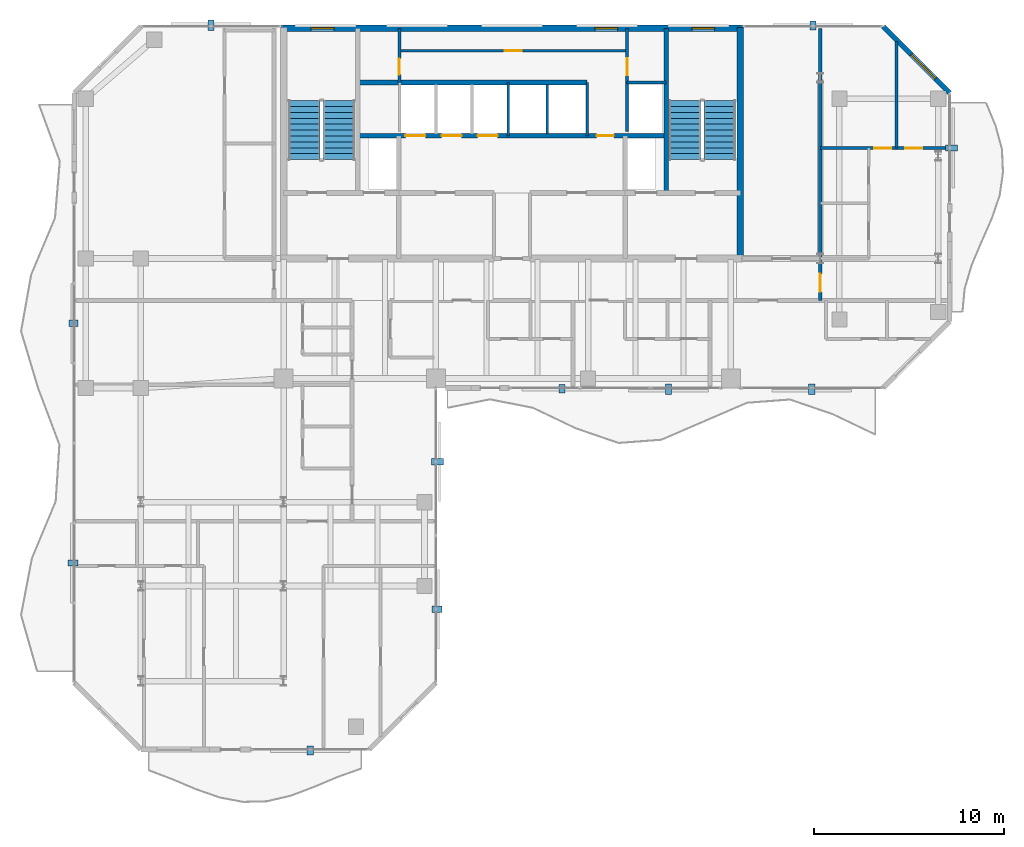
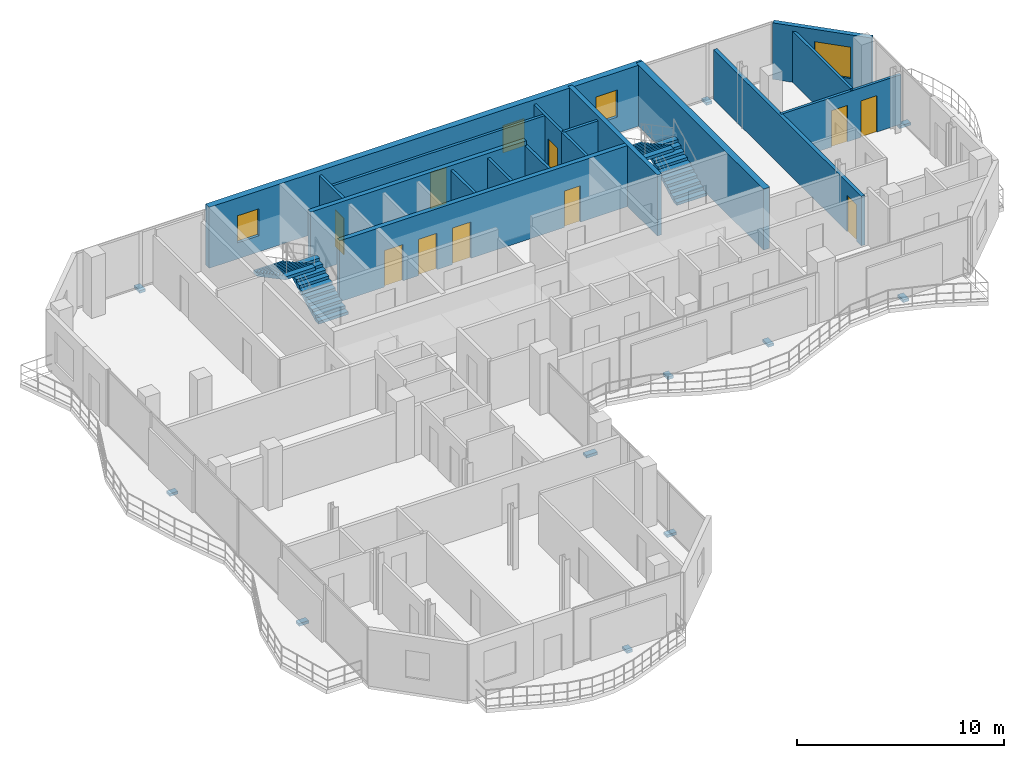
# One storey, part 20 of 23: 17 walls, 11 discrete accessories, 10 doors, 4 stair flights, 4 windows, 14 openings, 2 elements without a shape of their own.
"""IFC4 building model written with IfcOpenShell, lengths in metres."""

from ifc_helpers import new_model, si_unit, direction, frame, frame_2d, origin, origin_2d, place, context, subcontext, project, spatial, polyline, rectangle, outline, extrude, material, layer, layer_set, type_object, element, fill, aggregate, save


model = new_model("IFC4")

# Units and contexts
model_context = context("Model", 3, precision=1e-05, world=origin(), true_north=direction((0.0, 1.0)))
body_context = subcontext(model_context, "Body", "Model", "MODEL_VIEW")
ifc_project = project(units=[si_unit("LENGTHUNIT", "METRE"), si_unit("AREAUNIT", "SQUARE_METRE"), si_unit("VOLUMEUNIT", "CUBIC_METRE"), si_unit("PLANEANGLEUNIT", "RADIAN"), si_unit("MASSUNIT", "GRAM", prefix="KILO")], contexts=[model_context])

# Site, building, storey
site_placement = place(None, origin())
site = spatial("IfcSite", under=ifc_project, at=site_placement, CompositionType="ELEMENT")
building_placement = place(site_placement, origin())
building = spatial("IfcBuilding", under=site, at=building_placement, Name="Catumbela Crestline Tower", CompositionType="ELEMENT")
storey_placement = place(building_placement, frame((0.0, 0.0, 175.8)))
storey = spatial("IfcBuildingStorey", under=building, at=storey_placement, Name="L45", CompositionType="ELEMENT", Elevation=175.8)

# Wall
ifc_material_1 = material(Name="Concrete C50/60", Category="concrete")
ifc_layer_1 = layer(ifc_material_1, 0.25, Name="Concrete C50/60")
ifc_layer_set_1 = layer_set([ifc_layer_1], Name="Concrete C50/60")
wall_type_1 = type_object("IfcWallType", Name="CW-250D", PredefinedType="SHEAR", material=ifc_layer_set_1)
wall_1_placement = place(storey_placement, frame((36.1, 34.25, 0.0), z_axis=(0.0, 0.0, 1.0), x_axis=(0.0, 1.0, 0.0)))
element("IfcWall", 1, at=wall_1_placement, inside=storey, type_object=wall_type_1, Name="L45 Structural Core Shear Wall EWEB", PredefinedType="SHEAR", context=body_context, shape_type="SweptSolid", body=[
    extrude(rectangle(XDim=8.65, YDim=0.25, at=frame_2d((4.325, 0.0))), origin(), (0.0, 0.0, 1.0), 3.6),
])

# Wall, openings, doors
wall_2_placement = place(storey_placement, frame((19.9, 37.25, 0.0), z_axis=(0.0, 0.0, 1.0), x_axis=(1.0, 0.0, 0.0)))
wall_2 = element("IfcWall", 2, at=wall_2_placement, inside=storey, type_object=wall_type_1, Name="L45 Structural Core Shear Wall LIFTN", PredefinedType="SHEAR", context=body_context, shape_type="SweptSolid", body=[
    extrude(rectangle(XDim=16.2, YDim=0.25, at=frame_2d((8.1, 0.0))), origin(), (0.0, 0.0, 1.0), 3.6),
])
opening_1_placement = place(wall_2_placement, frame((12.55, 0.0, 0.0)))
opening_1 = element("IfcOpeningElement", 3, at=opening_1_placement, cuts=wall_2, Name="Opening DF9-090", PredefinedType="OPENING", context=body_context, shape_type="SweptSolid", body=[
    extrude(rectangle(XDim=0.9, YDim=2.15, at=frame_2d((0.45, 1.075))), frame((0.0, 0.135, 0.0), z_axis=(0.0, -1.0, 0.0), x_axis=(1.0, 0.0, 0.0)), (0.0, 0.0, 1.0), 0.27),
])
opening_2_placement = place(wall_2_placement, frame((2.5, 0.0, 0.0)))
opening_2 = element("IfcOpeningElement", 4, at=opening_2_placement, cuts=wall_2, Name="Opening LD-105", PredefinedType="OPENING", context=body_context, shape_type="SweptSolid", body=[
    extrude(rectangle(XDim=1.05, YDim=2.15, at=frame_2d((0.525, 1.075))), frame((0.0, 0.135, 0.0), z_axis=(0.0, -1.0, 0.0), x_axis=(1.0, 0.0, 0.0)), (0.0, 0.0, 1.0), 0.27),
])
opening_3_placement = place(wall_2_placement, frame((4.4, 0.0, 0.0)))
opening_3 = element("IfcOpeningElement", 5, at=opening_3_placement, cuts=wall_2, Name="Opening LD-105", PredefinedType="OPENING", context=body_context, shape_type="SweptSolid", body=[
    extrude(rectangle(XDim=1.05, YDim=2.15, at=frame_2d((0.525, 1.075))), frame((0.0, 0.135, 0.0), z_axis=(0.0, -1.0, 0.0), x_axis=(1.0, 0.0, 0.0)), (0.0, 0.0, 1.0), 0.27),
])
opening_4_placement = place(wall_2_placement, frame((6.3, 0.0, 0.0)))
opening_4 = element("IfcOpeningElement", 6, at=opening_4_placement, cuts=wall_2, Name="Opening LD-105", PredefinedType="OPENING", context=body_context, shape_type="SweptSolid", body=[
    extrude(rectangle(XDim=1.05, YDim=2.15, at=frame_2d((0.525, 1.075))), frame((0.0, 0.135, 0.0), z_axis=(0.0, -1.0, 0.0), x_axis=(1.0, 0.0, 0.0)), (0.0, 0.0, 1.0), 0.27),
])
ifc_material_2 = material(Name="Stainless steel EN 1.4401", Category="steel")
door_type_1 = type_object("IfcDoorType", Name="DF9-090", OperationType="NOTDEFINED", PredefinedType="DOOR", material=ifc_material_2)
door_1_placement = place(opening_1_placement, origin())
door_1 = element("IfcDoor", 7, at=door_1_placement, inside=storey, type_object=door_type_1, Name="L45 Interior Door DR-L45-CPAS1", OperationType="SINGLE_SWING_LEFT", OverallHeight=2.15, OverallWidth=0.9, PredefinedType="DOOR", context=body_context, shape_type="SweptSolid", body=[
    extrude(rectangle(XDim=0.9, YDim=2.15, at=frame_2d((0.45, 1.075))), frame((0.0, 0.025, 0.0), z_axis=(0.0, -1.0, 0.0), x_axis=(1.0, 0.0, 0.0)), (0.0, 0.0, 1.0), 0.05),
])
fill(opening_1, door_1)
door_type_2 = type_object("IfcDoorType", Name="LD-105", OperationType="NOTDEFINED", PredefinedType="DOOR", material=ifc_material_2)
door_2_placement = place(opening_2_placement, origin())
door_2 = element("IfcDoor", 8, at=door_2_placement, inside=storey, type_object=door_type_2, Name="L45 Lift Landing Sliding Door PL-H1", OperationType="DOUBLE_DOOR_SLIDING", OverallHeight=2.15, OverallWidth=1.05, PredefinedType="DOOR", context=body_context, shape_type="SweptSolid", body=[
    extrude(rectangle(XDim=1.05, YDim=2.15, at=frame_2d((0.525, 1.075))), frame((0.0, 0.025, 0.0), z_axis=(0.0, -1.0, 0.0), x_axis=(1.0, 0.0, 0.0)), (0.0, 0.0, 1.0), 0.05),
])
fill(opening_2, door_2)
door_3_placement = place(opening_3_placement, origin())
door_3 = element("IfcDoor", 9, at=door_3_placement, inside=storey, type_object=door_type_2, Name="L45 Lift Landing Sliding Door PL-H2", OperationType="DOUBLE_DOOR_SLIDING", OverallHeight=2.15, OverallWidth=1.05, PredefinedType="DOOR", context=body_context, shape_type="SweptSolid", body=[
    extrude(rectangle(XDim=1.05, YDim=2.15, at=frame_2d((0.525, 1.075))), frame((0.0, 0.025, 0.0), z_axis=(0.0, -1.0, 0.0), x_axis=(1.0, 0.0, 0.0)), (0.0, 0.0, 1.0), 0.05),
])
fill(opening_3, door_3)
door_4_placement = place(opening_4_placement, origin())
door_4 = element("IfcDoor", 10, at=door_4_placement, inside=storey, type_object=door_type_2, Name="L45 Lift Landing Sliding Door PL-H3", OperationType="DOUBLE_DOOR_SLIDING", OverallHeight=2.15, OverallWidth=1.05, PredefinedType="DOOR", context=body_context, shape_type="SweptSolid", body=[
    extrude(rectangle(XDim=1.05, YDim=2.15, at=frame_2d((0.525, 1.075))), frame((0.0, 0.025, 0.0), z_axis=(0.0, -1.0, 0.0), x_axis=(1.0, 0.0, 0.0)), (0.0, 0.0, 1.0), 0.05),
])
fill(opening_4, door_4)

# Walls
wall_3_placement = place(storey_placement, frame((19.9, 40.05, 0.0), z_axis=(0.0, 0.0, 1.0), x_axis=(1.0, 0.0, 0.0)))
element("IfcWall", 11, at=wall_3_placement, inside=storey, type_object=wall_type_1, Name="L45 Structural Core Shear Wall COREN", PredefinedType="SHEAR", context=body_context, shape_type="SweptSolid", body=[
    extrude(rectangle(XDim=12.05, YDim=0.25, at=frame_2d((6.025, 0.0))), origin(), (0.0, 0.0, 1.0), 3.6),
])
ifc_layer_2 = layer(ifc_material_1, 0.35, Name="Concrete C50/60")
ifc_layer_set_2 = layer_set([ifc_layer_2], Name="Concrete C50/60")
wall_type_2 = type_object("IfcWallType", Name="CW-350B", PredefinedType="SHEAR", material=ifc_layer_set_2)
wall_4_placement = place(storey_placement, frame((40.0, 30.65, 0.0), z_axis=(0.0, 0.0, 1.0), x_axis=(0.0, 1.0, 0.0)))
element("IfcWall", 12, at=wall_4_placement, inside=storey, type_object=wall_type_2, Name="L45 Structural Core Shear Wall E", PredefinedType="SHEAR", context=body_context, shape_type="SweptSolid", body=[
    extrude(rectangle(XDim=12.3, YDim=0.35, at=frame_2d((6.15, 0.0))), origin(), (0.0, 0.0, 1.0), 3.6),
])

# Wall, openings, windows
ifc_layer_3 = layer(ifc_material_1, 0.35, Name="Concrete C50/60")
ifc_layer_set_3 = layer_set([ifc_layer_3], Name="Concrete C50/60")
wall_type_3 = type_object("IfcWallType", Name="CW-350E", PredefinedType="SHEAR", material=ifc_layer_set_3)
wall_5_placement = place(storey_placement, frame((15.85, 42.9, 0.0), z_axis=(0.0, 0.0, 1.0), x_axis=(1.0, 0.0, 0.0)))
wall_5 = element("IfcWall", 13, at=wall_5_placement, inside=storey, type_object=wall_type_3, Name="L45 Structural Core Shear Wall N", PredefinedType="SHEAR", context=body_context, shape_type="SweptSolid", body=[
    extrude(rectangle(XDim=24.3, YDim=0.35, at=frame_2d((12.15, 0.0))), origin(), (0.0, 0.0, 1.0), 3.6),
])
opening_5_placement = place(wall_5_placement, frame((1.6, 0.0, 0.95)))
opening_5 = element("IfcOpeningElement", 14, at=opening_5_placement, cuts=wall_5, Name="Opening WN-02", PredefinedType="OPENING", context=body_context, shape_type="SweptSolid", body=[
    extrude(rectangle(XDim=1.2, YDim=1.6, at=frame_2d((0.6, 0.8))), frame((0.0, 0.185, 0.0), z_axis=(0.0, -1.0, 0.0), x_axis=(1.0, 0.0, 0.0)), (0.0, 0.0, 1.0), 0.37),
])
opening_6_placement = place(wall_5_placement, frame((16.5, 0.0, 0.95)))
opening_6 = element("IfcOpeningElement", 15, at=opening_6_placement, cuts=wall_5, Name="Opening WN-02", PredefinedType="OPENING", context=body_context, shape_type="SweptSolid", body=[
    extrude(rectangle(XDim=1.2, YDim=1.6, at=frame_2d((0.6, 0.8))), frame((0.0, 0.185, 0.0), z_axis=(0.0, -1.0, 0.0), x_axis=(1.0, 0.0, 0.0)), (0.0, 0.0, 1.0), 0.37),
])
opening_7_placement = place(wall_5_placement, frame((21.6, 0.0, 0.95)))
opening_7 = element("IfcOpeningElement", 16, at=opening_7_placement, cuts=wall_5, Name="Opening WN-02", PredefinedType="OPENING", context=body_context, shape_type="SweptSolid", body=[
    extrude(rectangle(XDim=1.2, YDim=1.6, at=frame_2d((0.6, 0.8))), frame((0.0, 0.185, 0.0), z_axis=(0.0, -1.0, 0.0), x_axis=(1.0, 0.0, 0.0)), (0.0, 0.0, 1.0), 0.37),
])
ifc_material_3 = material(Name="Low-E laminated solar-control double glazing", Category="glass")
window_type_1 = type_object("IfcWindowType", Name="WO-1200", PartitioningType="SINGLE_PANEL", PredefinedType="WINDOW", material=ifc_material_3)
window_1_placement = place(opening_5_placement, origin())
window_1 = element("IfcWindow", 17, at=window_1_placement, inside=storey, type_object=window_type_1, Name="L45 North Core Daylight Vision Window 274", OverallHeight=1.6, OverallWidth=1.2, PartitioningType="SINGLE_PANEL", PredefinedType="WINDOW", context=body_context, shape_type="SweptSolid", body=[
    extrude(rectangle(XDim=1.2, YDim=1.6, at=frame_2d((0.6, 0.8))), frame((0.0, 0.03, 0.0), z_axis=(0.0, -1.0, 0.0), x_axis=(1.0, 0.0, 0.0)), (0.0, 0.0, 1.0), 0.06),
])
fill(opening_5, window_1)
window_2_placement = place(opening_6_placement, origin())
window_2 = element("IfcWindow", 18, at=window_2_placement, inside=storey, type_object=window_type_1, Name="L45 North Core Daylight Vision Window 275", OverallHeight=1.6, OverallWidth=1.2, PartitioningType="SINGLE_PANEL", PredefinedType="WINDOW", context=body_context, shape_type="SweptSolid", body=[
    extrude(rectangle(XDim=1.2, YDim=1.6, at=frame_2d((0.6, 0.8))), frame((0.0, 0.03, 0.0), z_axis=(0.0, -1.0, 0.0), x_axis=(1.0, 0.0, 0.0)), (0.0, 0.0, 1.0), 0.06),
])
fill(opening_6, window_2)
window_3_placement = place(opening_7_placement, origin())
window_3 = element("IfcWindow", 19, at=window_3_placement, inside=storey, type_object=window_type_1, Name="L45 North Core Daylight Vision Window 276", OverallHeight=1.6, OverallWidth=1.2, PartitioningType="SINGLE_PANEL", PredefinedType="WINDOW", context=body_context, shape_type="SweptSolid", body=[
    extrude(rectangle(XDim=1.2, YDim=1.6, at=frame_2d((0.6, 0.8))), frame((0.0, 0.03, 0.0), z_axis=(0.0, -1.0, 0.0), x_axis=(1.0, 0.0, 0.0)), (0.0, 0.0, 1.0), 0.06),
])
fill(opening_7, window_3)

# Wall, opening, door
ifc_material_4 = material(Name="Acoustic gypsum and mineral-wool partition")
ifc_layer_4 = layer(ifc_material_4, 0.2, Name="Acoustic gypsum and mineral-wool partition")
ifc_layer_set_4 = layer_set([ifc_layer_4], Name="Acoustic gypsum and mineral-wool partition")
wall_type_4 = type_object("IfcWallType", Name="WC-200", PredefinedType="PARTITIONING", material=ifc_layer_set_4)
wall_6_placement = place(storey_placement, frame((44.2, 28.6, 0.0), z_axis=(0.0, 0.0, 1.0), x_axis=(0.0, 1.0, 0.0)))
wall_6 = element("IfcWall", 20, at=wall_6_placement, inside=storey, type_object=wall_type_4, Name="L45 Interior Partition PW-L45-NE1-ENT", PredefinedType="PARTITIONING", context=body_context, shape_type="SweptSolid", body=[
    extrude(rectangle(XDim=14.3, YDim=0.2, at=frame_2d((7.15, 0.0))), origin(), (0.0, 0.0, 1.0), 2.92),
])
opening_8_placement = place(wall_6_placement, frame((0.445, 0.0, 0.0)))
opening_8 = element("IfcOpeningElement", 21, at=opening_8_placement, cuts=wall_6, Name="Opening DF6-095", PredefinedType="OPENING", context=body_context, shape_type="SweptSolid", body=[
    extrude(rectangle(XDim=0.95, YDim=2.15, at=frame_2d((0.475, 1.075))), frame((0.0, 0.11, 0.0), z_axis=(0.0, -1.0, 0.0), x_axis=(1.0, 0.0, 0.0)), (0.0, 0.0, 1.0), 0.22),
])
ifc_material_5 = material(Name="Aluminium alloy AW-6060-T66", Category="aluminium")
door_type_3 = type_object("IfcDoorType", Name="DF6-095", OperationType="NOTDEFINED", PredefinedType="DOOR", material=ifc_material_5)
door_5_placement = place(opening_8_placement, origin())
door_5 = element("IfcDoor", 22, at=door_5_placement, inside=storey, type_object=door_type_3, Name="L45 Interior Door DR-L45-NE1-ENT", OperationType="SINGLE_SWING_LEFT", OverallHeight=2.15, OverallWidth=0.95, PredefinedType="DOOR", context=body_context, shape_type="SweptSolid", body=[
    extrude(rectangle(XDim=0.95, YDim=2.15, at=frame_2d((0.475, 1.075))), frame((0.0, 0.025, 0.0), z_axis=(0.0, -1.0, 0.0), x_axis=(1.0, 0.0, 0.0)), (0.0, 0.0, 1.0), 0.05),
])
fill(opening_8, door_5)

# Wall, opening, window
ifc_material_6 = material(Name="Angolan grey-ochre granite", Category="masonry")
ifc_layer_5 = layer(ifc_material_6, 0.25, Name="Angolan grey-ochre granite")
ifc_layer_set_5 = layer_set([ifc_layer_5], Name="Angolan grey-ochre granite")
wall_type_5 = type_object("IfcWallType", Name="WE-250", PredefinedType="STANDARD", material=ifc_layer_set_5)
wall_7_placement = place(storey_placement, frame((51.0, 39.5, 0.0), z_axis=(0.0, 0.0, 1.0), x_axis=(-0.707106781187, 0.707106781187, 0.0)))
wall_7 = element("IfcWall", 23, at=wall_7_placement, inside=storey, type_object=wall_type_5, Name="L45 Granite Punched Window Wall 6-1", PredefinedType="STANDARD", context=body_context, shape_type="SweptSolid", body=[
    extrude(rectangle(XDim=4.9497, YDim=0.25, at=frame_2d((2.4748, 0.0))), origin(), (0.0, 0.0, 1.0), 3.33),
])
opening_9_placement = place(wall_7_placement, frame((1.0574, 0.0, 0.75)))
opening_9 = element("IfcOpeningElement", 24, at=opening_9_placement, cuts=wall_7, Name="Opening WN-01", PredefinedType="OPENING", context=body_context, shape_type="SweptSolid", body=[
    extrude(rectangle(XDim=1.8, YDim=1.85, at=frame_2d((0.9, 0.925))), frame((0.0, 0.135, 0.0), z_axis=(0.0, -1.0, 0.0), x_axis=(1.0, 0.0, 0.0)), (0.0, 0.0, 1.0), 0.27),
])
window_type_2 = type_object("IfcWindowType", Name="WF-1800", PartitioningType="SINGLE_PANEL", PredefinedType="WINDOW", material=ifc_material_3)
window_4_placement = place(opening_9_placement, origin())
window_4 = element("IfcWindow", 25, at=window_4_placement, inside=storey, type_object=window_type_2, Name="L45 Facade Vision Window 281", OverallHeight=1.85, OverallWidth=1.8, PartitioningType="SINGLE_PANEL", PredefinedType="WINDOW", context=body_context, shape_type="SweptSolid", body=[
    extrude(rectangle(XDim=1.8, YDim=1.85, at=frame_2d((0.9, 0.925))), frame((0.0, 0.03, 0.0), z_axis=(0.0, -1.0, 0.0), x_axis=(1.0, 0.0, 0.0)), (0.0, 0.0, 1.0), 0.06),
])
fill(opening_9, window_4)

# Wall
ifc_layer_6 = layer(ifc_material_4, 0.15, Name="Acoustic gypsum and mineral-wool partition")
ifc_layer_set_6 = layer_set([ifc_layer_6], Name="Acoustic gypsum and mineral-wool partition")
wall_type_6 = type_object("IfcWallType", Name="WP-150", PredefinedType="PARTITIONING", material=ifc_layer_set_6)
wall_8_placement = place(storey_placement, frame((34.05, 40.05, 0.0), z_axis=(0.0, 0.0, 1.0), x_axis=(1.0, 0.0, 0.0)))
element("IfcWall", 26, at=wall_8_placement, inside=storey, type_object=wall_type_6, Name="L45 Interior Partition PW-L45-CR-ES", PredefinedType="PARTITIONING", context=body_context, shape_type="SweptSolid", body=[
    extrude(rectangle(XDim=2.05, YDim=0.15, at=frame_2d((1.025, 0.0))), origin(), (0.0, 0.0, 1.0), 3.33),
])

# Wall, opening, door
wall_9_placement = place(storey_placement, frame((34.05, 40.05, 0.0), z_axis=(0.0, 0.0, 1.0), x_axis=(0.0, 1.0, 0.0)))
wall_9 = element("IfcWall", 27, at=wall_9_placement, inside=storey, type_object=wall_type_6, Name="L45 Interior Partition PW-L45-CR-EW", PredefinedType="PARTITIONING", context=body_context, shape_type="SweptSolid", body=[
    extrude(rectangle(XDim=2.85, YDim=0.15, at=frame_2d((1.425, 0.0))), origin(), (0.0, 0.0, 1.0), 3.33),
])
opening_10_placement = place(wall_9_placement, frame((0.385, 0.0, 0.0)))
opening_10 = element("IfcOpeningElement", 28, at=opening_10_placement, cuts=wall_9, Name="Opening DF9-090", PredefinedType="OPENING", context=body_context, shape_type="SweptSolid", body=[
    extrude(rectangle(XDim=0.9, YDim=2.15, at=frame_2d((0.45, 1.075))), frame((0.0, 0.085, 0.0), z_axis=(0.0, -1.0, 0.0), x_axis=(1.0, 0.0, 0.0)), (0.0, 0.0, 1.0), 0.17),
])
door_6_placement = place(opening_10_placement, origin())
door_6 = element("IfcDoor", 29, at=door_6_placement, inside=storey, type_object=door_type_1, Name="L45 Interior Door DR-L45-CREAST", OperationType="SINGLE_SWING_RIGHT", OverallHeight=2.15, OverallWidth=0.9, PredefinedType="DOOR", context=body_context, shape_type="SweptSolid", body=[
    extrude(rectangle(XDim=0.9, YDim=2.15, at=frame_2d((0.45, 1.075))), frame((0.0, 0.025, 0.0), z_axis=(0.0, -1.0, 0.0), x_axis=(1.0, 0.0, 0.0)), (0.0, 0.0, 1.0), 0.05),
])
fill(opening_10, door_6)

wall_10_placement = place(storey_placement, frame((22.08, 40.05, 0.0), z_axis=(0.0, 0.0, 1.0), x_axis=(0.0, 1.0, 0.0)))
wall_10 = element("IfcWall", 30, at=wall_10_placement, inside=storey, type_object=wall_type_6, Name="L45 Interior Partition PW-L45-CR-WCW", PredefinedType="PARTITIONING", context=body_context, shape_type="SweptSolid", body=[
    extrude(rectangle(XDim=2.85, YDim=0.15, at=frame_2d((1.425, 0.0))), origin(), (0.0, 0.0, 1.0), 3.33),
])
opening_11_placement = place(wall_10_placement, frame((0.41, 0.0, 0.0)))
opening_11 = element("IfcOpeningElement", 31, at=opening_11_placement, cuts=wall_10, Name="Opening DI-085", PredefinedType="OPENING", context=body_context, shape_type="SweptSolid", body=[
    extrude(rectangle(XDim=0.85, YDim=2.15, at=frame_2d((0.425, 1.075))), frame((0.0, 0.085, 0.0), z_axis=(0.0, -1.0, 0.0), x_axis=(1.0, 0.0, 0.0)), (0.0, 0.0, 1.0), 0.17),
])
door_type_4 = type_object("IfcDoorType", Name="DI-085", OperationType="NOTDEFINED", PredefinedType="DOOR", material=ifc_material_5)
door_7_placement = place(opening_11_placement, origin())
door_7 = element("IfcDoor", 32, at=door_7_placement, inside=storey, type_object=door_type_4, Name="L45 Interior Door DR-L45-CRWC", OperationType="SINGLE_SWING_LEFT", OverallHeight=2.15, OverallWidth=0.85, PredefinedType="DOOR", context=body_context, shape_type="SweptSolid", body=[
    extrude(rectangle(XDim=0.85, YDim=2.15, at=frame_2d((0.425, 1.075))), frame((0.0, 0.025, 0.0), z_axis=(0.0, -1.0, 0.0), x_axis=(1.0, 0.0, 0.0)), (0.0, 0.0, 1.0), 0.05),
])
fill(opening_11, door_7)

wall_11_placement = place(storey_placement, frame((22.08, 41.72, 0.0), z_axis=(0.0, 0.0, 1.0), x_axis=(1.0, 0.0, 0.0)))
wall_11 = element("IfcWall", 33, at=wall_11_placement, inside=storey, type_object=wall_type_6, Name="L45 Interior Partition PW-L45-CR-MID", PredefinedType="PARTITIONING", context=body_context, shape_type="SweptSolid", body=[
    extrude(rectangle(XDim=11.97, YDim=0.15, at=frame_2d((5.985, 0.0))), origin(), (0.0, 0.0, 1.0), 3.33),
])
opening_12_placement = place(wall_11_placement, frame((5.535, 0.0, 0.0)))
opening_12 = element("IfcOpeningElement", 34, at=opening_12_placement, cuts=wall_11, Name="Opening DF9-090", PredefinedType="OPENING", context=body_context, shape_type="SweptSolid", body=[
    extrude(rectangle(XDim=0.9, YDim=2.15, at=frame_2d((0.45, 1.075))), frame((0.0, 0.085, 0.0), z_axis=(0.0, -1.0, 0.0), x_axis=(1.0, 0.0, 0.0)), (0.0, 0.0, 1.0), 0.17),
])
door_8_placement = place(opening_12_placement, origin())
door_8 = element("IfcDoor", 35, at=door_8_placement, inside=storey, type_object=door_type_1, Name="L45 Interior Door DR-L45-CRMID", OperationType="SINGLE_SWING_LEFT", OverallHeight=2.15, OverallWidth=0.9, PredefinedType="DOOR", context=body_context, shape_type="SweptSolid", body=[
    extrude(rectangle(XDim=0.9, YDim=2.15, at=frame_2d((0.45, 1.075))), frame((0.0, 0.025, 0.0), z_axis=(0.0, -1.0, 0.0), x_axis=(1.0, 0.0, 0.0)), (0.0, 0.0, 1.0), 0.05),
])
fill(opening_12, door_8)

# Wall, openings, doors
wall_12_placement = place(storey_placement, frame((44.2, 36.608, 0.0), z_axis=(0.0, 0.0, 1.0), x_axis=(1.0, 0.0, 0.0)))
wall_12 = element("IfcWall", 36, at=wall_12_placement, inside=storey, type_object=wall_type_6, Name="L45 Interior Partition PW-L45-NE1-KBN", PredefinedType="PARTITIONING", context=body_context, shape_type="SweptSolid", body=[
    extrude(rectangle(XDim=6.7, YDim=0.15, at=frame_2d((3.35, 0.0))), origin(), (0.0, 0.0, 1.0), 2.92),
])
opening_13_placement = place(wall_12_placement, frame((2.821, 0.0, 0.0)))
opening_13 = element("IfcOpeningElement", 37, at=opening_13_placement, cuts=wall_12, Name="Opening DI-090", PredefinedType="OPENING", context=body_context, shape_type="SweptSolid", body=[
    extrude(rectangle(XDim=0.9, YDim=2.15, at=frame_2d((0.45, 1.075))), frame((0.0, 0.085, 0.0), z_axis=(0.0, -1.0, 0.0), x_axis=(1.0, 0.0, 0.0)), (0.0, 0.0, 1.0), 0.17),
])
opening_14_placement = place(wall_12_placement, frame((4.4569, 0.0, 0.0)))
opening_14 = element("IfcOpeningElement", 38, at=opening_14_placement, cuts=wall_12, Name="Opening DI-090", PredefinedType="OPENING", context=body_context, shape_type="SweptSolid", body=[
    extrude(rectangle(XDim=0.9, YDim=2.15, at=frame_2d((0.45, 1.075))), frame((0.0, 0.085, 0.0), z_axis=(0.0, -1.0, 0.0), x_axis=(1.0, 0.0, 0.0)), (0.0, 0.0, 1.0), 0.17),
])
door_type_5 = type_object("IfcDoorType", Name="DI-090", OperationType="NOTDEFINED", PredefinedType="DOOR", material=ifc_material_5)
door_9_placement = place(opening_13_placement, origin())
door_9 = element("IfcDoor", 39, at=door_9_placement, inside=storey, type_object=door_type_5, Name="L45 Interior Door DR-L45-NE1-BD1", OperationType="SINGLE_SWING_LEFT", OverallHeight=2.15, OverallWidth=0.9, PredefinedType="DOOR", context=body_context, shape_type="SweptSolid", body=[
    extrude(rectangle(XDim=0.9, YDim=2.15, at=frame_2d((0.45, 1.075))), frame((0.0, 0.025, 0.0), z_axis=(0.0, -1.0, 0.0), x_axis=(1.0, 0.0, 0.0)), (0.0, 0.0, 1.0), 0.05),
])
fill(opening_13, door_9)
door_10_placement = place(opening_14_placement, origin())
door_10 = element("IfcDoor", 40, at=door_10_placement, inside=storey, type_object=door_type_5, Name="L45 Interior Door DR-L45-NE1-BD2", OperationType="SINGLE_SWING_RIGHT", OverallHeight=2.15, OverallWidth=0.9, PredefinedType="DOOR", context=body_context, shape_type="SweptSolid", body=[
    extrude(rectangle(XDim=0.9, YDim=2.15, at=frame_2d((0.45, 1.075))), frame((0.0, 0.025, 0.0), z_axis=(0.0, -1.0, 0.0), x_axis=(1.0, 0.0, 0.0)), (0.0, 0.0, 1.0), 0.05),
])
fill(opening_14, door_10)

# Walls
wall_13_placement = place(storey_placement, frame((48.196, 36.608, 0.0), z_axis=(0.0, 0.0, 1.0), x_axis=(0.0, 1.0, 0.0)))
element("IfcWall", 41, at=wall_13_placement, inside=storey, type_object=wall_type_6, Name="L45 Interior Partition PW-L45-NE1-BDP", PredefinedType="PARTITIONING", context=body_context, shape_type="SweptSolid", body=[
    extrude(rectangle(XDim=5.596, YDim=0.15, at=frame_2d((2.798, 0.0))), origin(), (0.0, 0.0, 1.0), 3.02),
])
ifc_layer_7 = layer(ifc_material_4, 0.15, Name="Acoustic gypsum and mineral-wool partition")
ifc_layer_set_7 = layer_set([ifc_layer_7], Name="Acoustic gypsum and mineral-wool partition")
wall_type_7 = type_object("IfcWallType", Name="WS-150", PredefinedType="PLUMBINGWALL", material=ifc_layer_set_7)
for number, where, z_axis, x_axis, name in (
    (42, (27.8, 37.25, 0.0), (0.0, 0.0, 1.0), (0.0, 1.0, 0.0), "L45 Interior Partition PW-L45-SHH3"),
    (43, (31.95, 37.25, 0.0), (0.0, 0.0, 1.0), (0.0, 1.0, 0.0), "L45 Interior Partition PW-L45-SHEX2E"),
):
    element("IfcWall", number, at=place(storey_placement, frame(where, z_axis=z_axis, x_axis=x_axis)), inside=storey, type_object=wall_type_7, Name=name, PredefinedType="PLUMBINGWALL", context=body_context, shape_type="SweptSolid", body=[
        extrude(rectangle(XDim=2.8, YDim=0.15, at=frame_2d((1.4, 0.0))), origin(), (0.0, 0.0, 1.0), 3.33),
    ])
wall_14_placement = place(storey_placement, frame((29.85, 37.35, 0.0), z_axis=(0.0, 0.0, 1.0), x_axis=(0.0, 1.0, 0.0)))
element("IfcWall", 44, at=wall_14_placement, inside=storey, type_object=wall_type_7, Name="L45 Interior Partition PW-L45-SHEX1", PredefinedType="PLUMBINGWALL", context=body_context, shape_type="SweptSolid", body=[
    extrude(rectangle(XDim=2.6, YDim=0.15, at=frame_2d((1.3, 0.0))), origin(), (0.0, 0.0, 1.0), 3.33),
])
wall_15_placement = place(storey_placement, frame((34.05, 37.4734, 0.0), z_axis=(0.0, 0.0, 1.0), x_axis=(0.0, 1.0, 0.0)))
element("IfcWall", 45, at=wall_15_placement, inside=storey, type_object=wall_type_7, Name="L45 Interior Partition PW-L45-RISW", PredefinedType="PLUMBINGWALL", context=body_context, shape_type="SweptSolid", body=[
    extrude(rectangle(XDim=2.5766, YDim=0.15, at=frame_2d((1.2883, 0.0))), origin(), (0.0, 0.0, 1.0), 3.33),
])

# Stair, stair flights
ifc_material_7 = material(Name="Concrete C45/55", Category="concrete")
stair_type = type_object("IfcStairType", Name="ST-DLG", PredefinedType="HALF_TURN_STAIR", material=ifc_material_7)
stair_1_placement = place(storey_placement, origin())
stair_1 = element("IfcStair", 46, at=stair_1_placement, inside=storey, type_object=stair_type, Name="L45 West Core Pressurised Exit Stair ST-01", PredefinedType="HALF_TURN_STAIR")
stair_flight_type = type_object("IfcStairFlightType", Name="SF-1636", PredefinedType="STRAIGHT", material=ifc_material_7)
stair_flight_1_placement = place(storey_placement, frame((18.92, 36.0, 0.0), z_axis=(0.0, 0.0, 1.0), x_axis=(0.0, 1.0, 0.0)))
stair_flight_1 = element("IfcStairFlight", 47, at=stair_flight_1_placement, type_object=stair_flight_type, Name="ST-01 flight 1", NumberOfRisers=11, NumberOfTreads=10, PredefinedType="STRAIGHT", RiserHeight=0.163636364, TreadLength=0.31, context=body_context, shape_type="SweptSolid", body=[
    extrude(outline(polyline([(0.0, 0.0), (0.0, 0.1636), (0.31, 0.1636), (0.31, 0.3273), (0.62, 0.3273), (0.62, 0.4909), (0.93, 0.4909), (0.93, 0.6545), (1.24, 0.6545), (1.24, 0.8182), (1.55, 0.8182), (1.55, 0.9818), (1.86, 0.9818), (1.86, 1.1455), (2.17, 1.1455), (2.17, 1.3091), (2.48, 1.3091), (2.48, 1.4727), (2.79, 1.4727), (2.79, 1.6364), (3.1, 1.6364), (3.1, 1.8), (3.1, 1.4554), (0.3427, 0.0), (0.0, 0.0)])), frame((0.0, 0.83, 0.0), z_axis=(0.0, -1.0, 0.0), x_axis=(1.0, 0.0, 0.0)), (0.0, 0.0, 1.0), 1.66),
])
stair_flight_2_placement = place(storey_placement, frame((17.08, 39.1, 1.8), z_axis=(0.0, 0.0, 1.0), x_axis=(0.0, -1.0, 0.0)))
stair_flight_2 = element("IfcStairFlight", 48, at=stair_flight_2_placement, type_object=stair_flight_type, Name="ST-01 flight 2", NumberOfRisers=11, NumberOfTreads=10, PredefinedType="STRAIGHT", RiserHeight=0.163636364, TreadLength=0.31, context=body_context, shape_type="SweptSolid", body=[
    extrude(outline(polyline([(0.0, 0.0), (0.0, 0.1636), (0.31, 0.1636), (0.31, 0.3273), (0.62, 0.3273), (0.62, 0.4909), (0.93, 0.4909), (0.93, 0.6545), (1.24, 0.6545), (1.24, 0.8182), (1.55, 0.8182), (1.55, 0.9818), (1.86, 0.9818), (1.86, 1.1455), (2.17, 1.1455), (2.17, 1.3091), (2.48, 1.3091), (2.48, 1.4727), (2.79, 1.4727), (2.79, 1.6364), (3.1, 1.6364), (3.1, 1.8), (3.1, 1.4554), (0.3427, 0.0), (0.0, 0.0)])), frame((0.0, 0.83, 0.0), z_axis=(0.0, -1.0, 0.0), x_axis=(1.0, 0.0, 0.0)), (0.0, 0.0, 1.0), 1.66),
])
aggregate(stair_1, [stair_flight_1, stair_flight_2])

stair_2_placement = place(storey_placement, origin())
stair_2 = element("IfcStair", 49, at=stair_2_placement, inside=storey, type_object=stair_type, Name="L45 East Core Pressurised Exit Stair ST-02", PredefinedType="HALF_TURN_STAIR")
stair_flight_3_placement = place(storey_placement, frame((38.92, 36.0, 0.0), z_axis=(0.0, 0.0, 1.0), x_axis=(0.0, 1.0, 0.0)))
stair_flight_3 = element("IfcStairFlight", 50, at=stair_flight_3_placement, type_object=stair_flight_type, Name="ST-02 flight 1", NumberOfRisers=11, NumberOfTreads=10, PredefinedType="STRAIGHT", RiserHeight=0.163636364, TreadLength=0.31, context=body_context, shape_type="SweptSolid", body=[
    extrude(outline(polyline([(0.0, 0.0), (0.0, 0.1636), (0.31, 0.1636), (0.31, 0.3273), (0.62, 0.3273), (0.62, 0.4909), (0.93, 0.4909), (0.93, 0.6545), (1.24, 0.6545), (1.24, 0.8182), (1.55, 0.8182), (1.55, 0.9818), (1.86, 0.9818), (1.86, 1.1455), (2.17, 1.1455), (2.17, 1.3091), (2.48, 1.3091), (2.48, 1.4727), (2.79, 1.4727), (2.79, 1.6364), (3.1, 1.6364), (3.1, 1.8), (3.1, 1.4554), (0.3427, 0.0), (0.0, 0.0)])), frame((0.0, 0.83, 0.0), z_axis=(0.0, -1.0, 0.0), x_axis=(1.0, 0.0, 0.0)), (0.0, 0.0, 1.0), 1.66),
])
stair_flight_4_placement = place(storey_placement, frame((37.08, 39.1, 1.8), z_axis=(0.0, 0.0, 1.0), x_axis=(0.0, -1.0, 0.0)))
stair_flight_4 = element("IfcStairFlight", 51, at=stair_flight_4_placement, type_object=stair_flight_type, Name="ST-02 flight 2", NumberOfRisers=11, NumberOfTreads=10, PredefinedType="STRAIGHT", RiserHeight=0.163636364, TreadLength=0.31, context=body_context, shape_type="SweptSolid", body=[
    extrude(outline(polyline([(0.0, 0.0), (0.0, 0.1636), (0.31, 0.1636), (0.31, 0.3273), (0.62, 0.3273), (0.62, 0.4909), (0.93, 0.4909), (0.93, 0.6545), (1.24, 0.6545), (1.24, 0.8182), (1.55, 0.8182), (1.55, 0.9818), (1.86, 0.9818), (1.86, 1.1455), (2.17, 1.1455), (2.17, 1.3091), (2.48, 1.3091), (2.48, 1.4727), (2.79, 1.4727), (2.79, 1.6364), (3.1, 1.6364), (3.1, 1.8), (3.1, 1.4554), (0.3427, 0.0), (0.0, 0.0)])), frame((0.0, 0.83, 0.0), z_axis=(0.0, -1.0, 0.0), x_axis=(1.0, 0.0, 0.0)), (0.0, 0.0, 1.0), 1.66),
])
aggregate(stair_2, [stair_flight_3, stair_flight_4])

# Discrete accessories
discrete_accessory_type = type_object("IfcDiscreteAccessoryType", Name="BK-SS1", PredefinedType="BRACKET", material=ifc_material_2)
discrete_accessory_1_placement = place(storey_placement, frame((17.4, 4.955, -0.18), z_axis=(0.0, 0.0, 1.0), x_axis=(1.0, 0.0, 0.0)))
element("IfcDiscreteAccessory", 52, at=discrete_accessory_1_placement, inside=storey, type_object=discrete_accessory_type, Name="L45 Solar Screen Stainless Bracket 512", PredefinedType="BRACKET", context=body_context, shape_type="SweptSolid", body=[
    extrude(rectangle(XDim=0.32, YDim=0.46, at=origin_2d()), origin(), (0.0, 0.0, 1.0), 0.16),
])
discrete_accessory_2_placement = place(storey_placement, frame((24.065, 12.375, -0.18), z_axis=(0.0, 0.0, 1.0), x_axis=(0.0, 1.0, 0.0)))
element("IfcDiscreteAccessory", 53, at=discrete_accessory_2_placement, inside=storey, type_object=discrete_accessory_type, Name="L45 Solar Screen Stainless Bracket 513", PredefinedType="BRACKET", context=body_context, shape_type="SweptSolid", body=[
    extrude(rectangle(XDim=0.32, YDim=0.54, at=origin_2d()), origin(), (0.0, 0.0, 1.0), 0.16),
])
discrete_accessory_3_placement = place(storey_placement, frame((24.085, 20.125, -0.18), z_axis=(0.0, 0.0, 1.0), x_axis=(0.0, 1.0, 0.0)))
element("IfcDiscreteAccessory", 54, at=discrete_accessory_3_placement, inside=storey, type_object=discrete_accessory_type, Name="L45 Solar Screen Stainless Bracket 514", PredefinedType="BRACKET", context=body_context, shape_type="SweptSolid", body=[
    extrude(rectangle(XDim=0.32, YDim=0.62, at=origin_2d()), origin(), (0.0, 0.0, 1.0), 0.16),
])
discrete_accessory_4_placement = place(storey_placement, frame((30.6375, 23.955, -0.18), z_axis=(0.0, 0.0, 1.0), x_axis=(1.0, 0.0, 0.0)))
element("IfcDiscreteAccessory", 55, at=discrete_accessory_4_placement, inside=storey, type_object=discrete_accessory_type, Name="L45 Solar Screen Stainless Bracket 515", PredefinedType="BRACKET", context=body_context, shape_type="SweptSolid", body=[
    extrude(rectangle(XDim=0.32, YDim=0.46, at=origin_2d()), origin(), (0.0, 0.0, 1.0), 0.16),
])
for number, where, z_axis, x_axis, name in (
    (56, (36.2125, 23.935, -0.18), (0.0, 0.0, 1.0), (1.0, 0.0, 0.0), "L45 Solar Screen Stainless Bracket 516"),
    (57, (43.75, 23.935, -0.18), (0.0, 0.0, 1.0), (1.0, 0.0, 0.0), "L45 Solar Screen Stainless Bracket 517"),
):
    element("IfcDiscreteAccessory", number, at=place(storey_placement, frame(where, z_axis=z_axis, x_axis=x_axis)), inside=storey, type_object=discrete_accessory_type, Name=name, PredefinedType="BRACKET", context=body_context, shape_type="SweptSolid", body=[
        extrude(rectangle(XDim=0.32, YDim=0.54, at=origin_2d()), origin(), (0.0, 0.0, 1.0), 0.16),
    ])
discrete_accessory_5_placement = place(storey_placement, frame((51.085, 36.6, -0.18), z_axis=(0.0, 0.0, 1.0), x_axis=(0.0, 1.0, 0.0)))
element("IfcDiscreteAccessory", 58, at=discrete_accessory_5_placement, inside=storey, type_object=discrete_accessory_type, Name="L45 Solar Screen Stainless Bracket 518", PredefinedType="BRACKET", context=body_context, shape_type="SweptSolid", body=[
    extrude(rectangle(XDim=0.32, YDim=0.62, at=origin_2d()), origin(), (0.0, 0.0, 1.0), 0.16),
])
discrete_accessory_6_placement = place(storey_placement, frame((43.82, 43.045, -0.18), z_axis=(0.0, 0.0, 1.0), x_axis=(-1.0, 0.0, 0.0)))
element("IfcDiscreteAccessory", 59, at=discrete_accessory_6_placement, inside=storey, type_object=discrete_accessory_type, Name="L45 Solar Screen Stainless Bracket 519", PredefinedType="BRACKET", context=body_context, shape_type="SweptSolid", body=[
    extrude(rectangle(XDim=0.32, YDim=0.46, at=origin_2d()), origin(), (0.0, 0.0, 1.0), 0.16),
])
discrete_accessory_7_placement = place(storey_placement, frame((12.18, 43.065, -0.18), z_axis=(0.0, 0.0, 1.0), x_axis=(-1.0, 0.0, 0.0)))
element("IfcDiscreteAccessory", 60, at=discrete_accessory_7_placement, inside=storey, type_object=discrete_accessory_type, Name="L45 Solar Screen Stainless Bracket 520", PredefinedType="BRACKET", context=body_context, shape_type="SweptSolid", body=[
    extrude(rectangle(XDim=0.32, YDim=0.54, at=origin_2d()), origin(), (0.0, 0.0, 1.0), 0.16),
])
discrete_accessory_8_placement = place(storey_placement, frame((4.955, 27.4, -0.18), z_axis=(0.0, 0.0, 1.0), x_axis=(0.0, -1.0, 0.0)))
element("IfcDiscreteAccessory", 61, at=discrete_accessory_8_placement, inside=storey, type_object=discrete_accessory_type, Name="L45 Solar Screen Stainless Bracket 521", PredefinedType="BRACKET", context=body_context, shape_type="SweptSolid", body=[
    extrude(rectangle(XDim=0.32, YDim=0.46, at=origin_2d()), origin(), (0.0, 0.0, 1.0), 0.16),
])
discrete_accessory_9_placement = place(storey_placement, frame((4.935, 14.8, -0.18), z_axis=(0.0, 0.0, 1.0), x_axis=(0.0, -1.0, 0.0)))
element("IfcDiscreteAccessory", 62, at=discrete_accessory_9_placement, inside=storey, type_object=discrete_accessory_type, Name="L45 Solar Screen Stainless Bracket 522", PredefinedType="BRACKET", context=body_context, shape_type="SweptSolid", body=[
    extrude(rectangle(XDim=0.32, YDim=0.54, at=origin_2d()), origin(), (0.0, 0.0, 1.0), 0.16),
])

save(model, "model.ifc")
